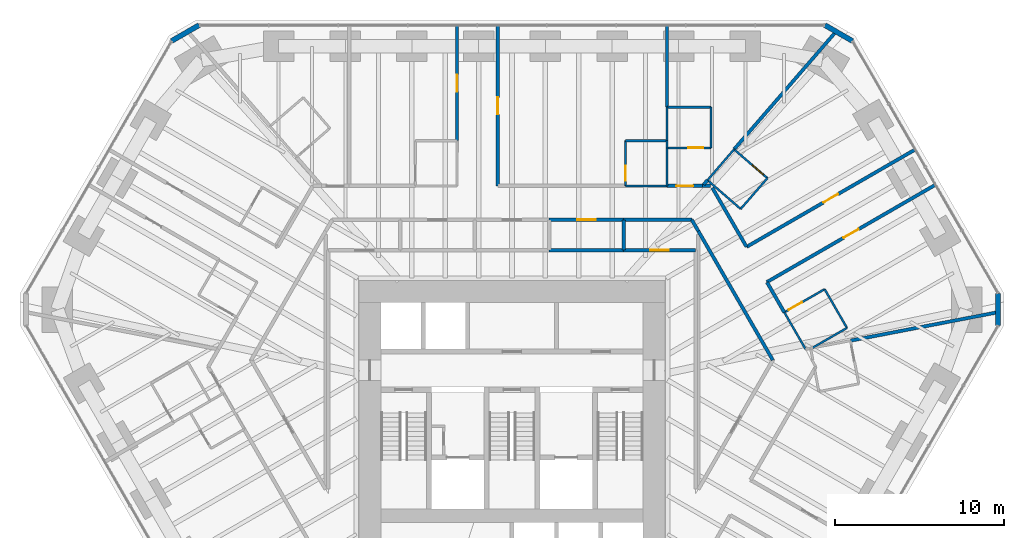
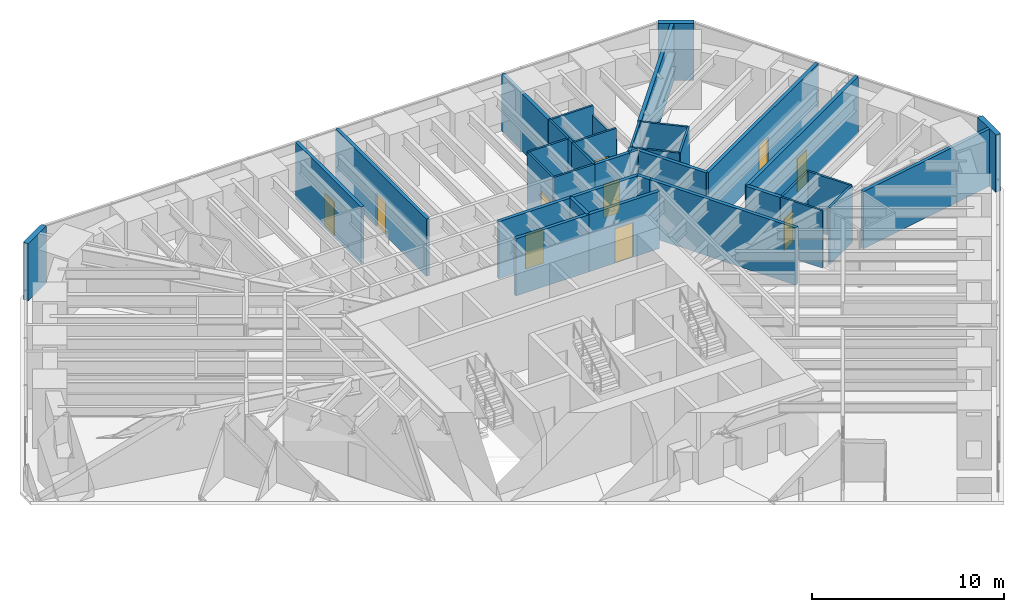
# One storey, part 15 of 17: 39 walls, 11 doors, 11 openings.
"""IFC4 building model written with IfcOpenShell, lengths in metres."""

import ifcopenshell
import ifcopenshell.guid

model = None  # the IFC model being written
_history = None  # IfcOwnerHistory: only IFC2X3 demands one
_inside = {}  # id of a spatial element -> (the spatial element, [elements in it])
_under = {}  # id of a project, library or spatial element -> (it, [spatial elements below it])
_declared = {}  # id of a project -> (the project, [libraries it declares])
_typed = {}  # id of a type object -> (the type object, [elements of that type])
_made_of = {}  # id of a material, layer set ... -> (it, [elements and type objects made of it])


def new_model(schema):
    """Start an empty IFC model of exactly this schema.

    Asked for "IFC4X3", IfcOpenShell would pick the latest addendum, in which some entities
    have other attributes; the version numbers below select the first issue.
    IFC2X3 requires an IfcOwnerHistory on every rooted entity: one is made here for all.
    """
    global model, _history
    if schema == "IFC4X3":
        model = ifcopenshell.file(schema_version=(4, 3, 0, 0))
    else:
        model = ifcopenshell.file(schema=schema)
    _inside.clear()
    _under.clear()
    _declared.clear()
    _typed.clear()
    _made_of.clear()
    _history = None
    if model.schema == "IFC2X3":
        org = make("IfcOrganization", Name="unknown")
        user = make(
            "IfcPersonAndOrganization",
            ThePerson=make("IfcPerson", FamilyName="unknown"),
            TheOrganization=org,
        )
        app = make(
            "IfcApplication",
            ApplicationDeveloper=org,
            Version="unknown",
            ApplicationFullName="unknown",
            ApplicationIdentifier="unknown",
        )
        _history = make(
            "IfcOwnerHistory",
            OwningUser=user,
            OwningApplication=app,
            ChangeAction="ADDED",
            CreationDate=0,
        )
    return model


def make(cls, **values):
    """One entity of the class cls with the attributes given. An attribute that is None is left unset."""
    return model.create_entity(
        cls, **{name: value for name, value in values.items() if value is not None}
    )


def rooted(cls, **values):
    """An entity with a GlobalId (a new one), such as an element, a storey or a relation."""
    return make(cls, GlobalId=ifcopenshell.guid.new(), OwnerHistory=_history, **values)


def si_unit(unit_type, name, prefix=None):
    """IfcSIUnit, for example si_unit("LENGTHUNIT", "METRE", prefix="MILLI")."""
    return make("IfcSIUnit", UnitType=unit_type, Prefix=prefix, Name=name)


def assignment(units):
    """IfcUnitAssignment: the units of a project."""
    return None if units is None else make("IfcUnitAssignment", Units=units)


def point(xyz):
    """IfcCartesianPoint."""
    return None if xyz is None else make("IfcCartesianPoint", Coordinates=xyz)


def direction(xyz):
    """IfcDirection."""
    return None if xyz is None else make("IfcDirection", DirectionRatios=xyz)


def frame(location, z_axis=None, x_axis=None):
    """IfcAxis2Placement3D, a coordinate frame: its origin and axes. An axis left out is left unset."""
    return make(
        "IfcAxis2Placement3D",
        Location=point(location),
        Axis=direction(z_axis),
        RefDirection=direction(x_axis),
    )


def frame_2d(location, x_axis=None):
    """IfcAxis2Placement2D, a coordinate frame in the plane: its origin and x axis."""
    return make(
        "IfcAxis2Placement2D", Location=point(location), RefDirection=direction(x_axis)
    )


def origin():
    """The frame at (0, 0, 0) with its axes left unset."""
    return frame((0.0, 0.0, 0.0))


def place(relative_to, where):
    """IfcLocalPlacement: puts the frame where relative to a parent placement (None: the world)."""
    return make(
        "IfcLocalPlacement", PlacementRelTo=relative_to, RelativePlacement=where
    )


def context(
    kind, dimensions, precision=None, world=None, true_north=None, identifier=None
):
    """IfcGeometricRepresentationContext, for example the 3D "Model" context."""
    return make(
        "IfcGeometricRepresentationContext",
        ContextIdentifier=identifier,
        ContextType=kind,
        CoordinateSpaceDimension=dimensions,
        Precision=precision,
        WorldCoordinateSystem=world,
        TrueNorth=true_north,
    )


def subcontext(parent, identifier, kind, view, scale=None):
    """IfcGeometricRepresentationSubContext, for example "Body" below "Model"."""
    return make(
        "IfcGeometricRepresentationSubContext",
        ContextIdentifier=identifier,
        ContextType=kind,
        ParentContext=parent,
        TargetScale=scale,
        TargetView=view,
    )


def project(units=None, contexts=None):
    """IfcProject with its units and contexts."""
    return rooted(
        "IfcProject",
        Name="project",
        RepresentationContexts=contexts,
        UnitsInContext=assignment(units),
    )


def spatial(cls, under=None, at=None, **own):
    """A site, building, storey or space (cls), placed at a placement, below another one or the project."""
    s = rooted(cls, ObjectPlacement=at, **own)
    if under is not None:
        _under.setdefault(under.id(), (under, []))[1].append(s)
    return s


def profile(cls, at=None, kind="AREA", **sizes):
    """A parametric profile (cls). Its sizes go by their IFC names, for example OverallWidth=200.0."""
    return make(cls, ProfileType=kind, Position=at, **sizes)


def rectangle(**sizes):
    """IfcRectangleProfileDef."""
    return profile("IfcRectangleProfileDef", **sizes)


def extrude(swept, where, along, depth):
    """IfcExtrudedAreaSolid: the profile swept, set in the frame where, extruded along a direction by depth."""
    return make(
        "IfcExtrudedAreaSolid",
        SweptArea=swept,
        Position=where,
        ExtrudedDirection=direction(along),
        Depth=depth,
    )


def shape(context_of_items, identifier, shape_type, items):
    """IfcShapeRepresentation: the items that make up one representation, for example the "Body"."""
    return make(
        "IfcShapeRepresentation",
        ContextOfItems=context_of_items,
        RepresentationIdentifier=identifier,
        RepresentationType=shape_type,
        Items=items,
    )


def material(Name=None, Category=None):
    """IfcMaterial."""
    return make("IfcMaterial", Name=Name, Category=Category)


def layer(
    of_material, thickness, ventilated=None, Name=None, Category=None, Priority=None
):
    """IfcMaterialLayer: one layer of a wall or slab, of a material (None: an air gap)."""
    return make(
        "IfcMaterialLayer",
        Material=of_material,
        LayerThickness=thickness,
        IsVentilated=ventilated,
        Name=Name,
        Category=Category,
        Priority=Priority,
    )


def layer_set(layers, Name=None):
    """IfcMaterialLayerSet."""
    return make("IfcMaterialLayerSet", MaterialLayers=layers, LayerSetName=Name)


def made_of(thing, what):
    """Note that an element or type object is made of a material, layer set ...; save() writes the relation."""
    if what is not None:
        _made_of.setdefault(what.id(), (what, []))[1].append(thing)
    return thing


def type_object(cls, material=None, **own):
    """A type object (cls), such as IfcWallType, which elements share."""
    return made_of(rooted(cls, **own), material)


def element(
    cls,
    number,
    at=None,
    inside=None,
    cuts=None,
    type_object=None,
    material=None,
    context=None,
    identifier="Body",
    shape_type=None,
    held_by="IfcProductDefinitionShape",
    body=None,
    shapes=None,
    **own,
):
    """One element of the class cls, such as IfcWall. Its Tag is "e" and its number.

    at: its placement. inside: the storey or other place that contains it. cuts: it is an
    opening in that element (IfcRelVoidsElement). A single representation is given by context,
    identifier, shape_type and body (its items); several are given by shapes. held_by: the class
    of the entity that holds the representations. save() writes the other relations.
    """
    e = rooted(cls, Tag="e%d" % number, ObjectPlacement=at, **own)
    if body is not None:
        shapes = [shape(context, identifier, shape_type, body)]
    if shapes is not None:
        e.Representation = make(held_by, Representations=shapes)
    if inside is not None:
        _inside.setdefault(inside.id(), (inside, []))[1].append(e)
    if cuts is not None:
        rooted(
            "IfcRelVoidsElement", RelatingBuildingElement=cuts, RelatedOpeningElement=e
        )
    if type_object is not None:
        _typed.setdefault(type_object.id(), (type_object, []))[1].append(e)
    return made_of(e, material)


def fill(opening, filler):
    """IfcRelFillsElement: the door or window that sits in an opening."""
    return rooted(
        "IfcRelFillsElement",
        RelatingOpeningElement=opening,
        RelatedBuildingElement=filler,
    )


def aggregate(whole, parts):
    """IfcRelAggregates: a whole, such as a stair, and the parts it consists of."""
    return rooted("IfcRelAggregates", RelatingObject=whole, RelatedObjects=parts)


def save(model, path):
    """Write the relations noted so far, then the file.

    IfcRelAggregates (storeys below a building ...), IfcRelContainedInSpatialStructure (elements
    in a storey), IfcRelDefinesByType, IfcRelAssociatesMaterial and IfcRelDeclares: one each for
    every whole, place, type object, material and project.
    """
    for whole, parts in _under.values():
        aggregate(whole, parts)
    for where, things in _inside.values():
        rooted(
            "IfcRelContainedInSpatialStructure",
            RelatedElements=things,
            RelatingStructure=where,
        )
    for kind, things in _typed.values():
        rooted("IfcRelDefinesByType", RelatedObjects=things, RelatingType=kind)
    for what, things in _made_of.values():
        rooted("IfcRelAssociatesMaterial", RelatedObjects=things, RelatingMaterial=what)
    for by, libraries in _declared.values():
        rooted("IfcRelDeclares", RelatingContext=by, RelatedDefinitions=libraries)
    model.write(path)


model = new_model("IFC4")

# Units and contexts
model_context = context("Model", 3, precision=1e-05, world=origin(), true_north=direction((0.0, 1.0)))
body_context = subcontext(model_context, "Body", "Model", "MODEL_VIEW")
ifc_project = project(units=[si_unit("LENGTHUNIT", "METRE"), si_unit("AREAUNIT", "SQUARE_METRE"), si_unit("VOLUMEUNIT", "CUBIC_METRE"), si_unit("PLANEANGLEUNIT", "RADIAN"), si_unit("MASSUNIT", "GRAM", prefix="KILO")], contexts=[model_context])

# Site, building, storey
site_placement = place(None, origin())
site = spatial("IfcSite", under=ifc_project, at=site_placement, CompositionType="ELEMENT")
building_placement = place(site_placement, origin())
building = spatial("IfcBuilding", under=site, at=building_placement, Name="Sandreach Pilgrim Tower", CompositionType="ELEMENT")
storey_placement = place(building_placement, frame((0.0, 0.0, 104.39990234375)))
storey = spatial("IfcBuildingStorey", under=building, at=storey_placement, Name="L25", CompositionType="ELEMENT", Elevation=104.39990234375)

# Wall, opening, door
ifc_material_1 = material(Name="Moisture-resistant gypsum board on steel studs", Category="steel")
ifc_layer_1 = layer(ifc_material_1, 0.1201171875)
ifc_layer_set_1 = layer_set([ifc_layer_1], Name="Bathroom partition 120")
wall_type_1 = type_object("IfcWallType", Name="Bathroom partition 120", PredefinedType="PARTITIONING", material=ifc_layer_set_1)
wall_1_placement = place(storey_placement, frame((6.7099609375, 15.659912109375, 0.0), z_axis=(0.0, 0.0, 1.0), x_axis=(0.0, -1.0, 0.0)))
wall_1 = element("IfcWall", 1, at=wall_1_placement, inside=storey, type_object=wall_type_1, Name="Bathroom partition L25-103", PredefinedType="PARTITIONING", context=body_context, shape_type="SweptSolid", body=[
    extrude(rectangle(XDim=2.669921875, YDim=0.1201171875, at=frame_2d((1.3349609375, 0.0))), origin(), (0.0, 0.0, 1.0), 3.64013671875),
])
opening_1_placement = place(wall_1_placement, frame((1.469970703125, 0.0, 0.0)))
opening_1 = element("IfcOpeningElement", 2, at=opening_1_placement, cuts=wall_1, Name="Opening D09-03B", PredefinedType="OPENING", context=body_context, shape_type="SweptSolid", body=[
    extrude(rectangle(XDim=0.89990234375, YDim=2.030029296875, at=frame_2d((0.449951171875, 1.01513671875))), frame((0.0, 0.06005859375, 0.0), z_axis=(0.0, -1.0, 0.0), x_axis=(1.0, 0.0, 0.0)), (0.0, 0.0, 1.0), 0.1201171875),
])
ifc_material_2 = material(Name="Timber door, steel frame", Category="steel")
door_type_1 = type_object("IfcDoorType", Name="Bathroom door", OperationType="SINGLE_SWING_LEFT", PredefinedType="DOOR", material=ifc_material_2)
door_1_placement = place(opening_1_placement, origin())
door_1 = element("IfcDoor", 3, at=door_1_placement, inside=storey, type_object=door_type_1, Name="Door 2503B", OperationType="SINGLE_SWING_RIGHT", OverallHeight=2.030029296875, OverallWidth=0.89990234375, PredefinedType="DOOR", context=body_context, shape_type="SweptSolid", body=[
    extrude(rectangle(XDim=0.89990234375, YDim=2.030029296875, at=frame_2d((0.449951171875, 1.01513671875))), frame((0.0, 0.02490234375, 0.0), z_axis=(0.0, -1.0, 0.0), x_axis=(1.0, 0.0, 0.0)), (0.0, 0.0, 1.0), 0.050048828125),
])
fill(opening_1, door_1)

# Walls
wall_2_placement = place(storey_placement, frame((9.159912109375, 12.989990234375, 0.0), z_axis=(0.0, 0.0, 1.0), x_axis=(-1.0, 0.0, 0.0)))
element("IfcWall", 4, at=wall_2_placement, inside=storey, type_object=wall_type_1, Name="Bathroom partition L25-115", PredefinedType="PARTITIONING", context=body_context, shape_type="SweptSolid", body=[
    extrude(rectangle(XDim=2.449951171875, YDim=0.1201171875, at=frame_2d((1.22509765625, 0.0))), origin(), (0.0, 0.0, 1.0), 3.64013671875),
])
wall_3_placement = place(storey_placement, frame((9.159912109375, 15.239990234375, 0.0), z_axis=(0.0, 0.0, 1.0), x_axis=(0.0, -1.0, 0.0)))
element("IfcWall", 5, at=wall_3_placement, inside=storey, type_object=wall_type_1, Name="Bathroom partition L25-116", PredefinedType="PARTITIONING", context=body_context, shape_type="SweptSolid", body=[
    extrude(rectangle(XDim=2.25, YDim=0.1201171875, at=frame_2d((1.125, 0.0))), origin(), (0.0, 0.0, 1.0), 3.64013671875),
])

# Wall, opening, door
wall_4_placement = place(storey_placement, frame((9.159912109375, 15.239990234375, 0.0), z_axis=(0.0, 0.0, 1.0), x_axis=(1.0, 0.0, 0.0)))
wall_4 = element("IfcWall", 6, at=wall_4_placement, inside=storey, type_object=wall_type_1, Name="Bathroom partition L25-117", PredefinedType="PARTITIONING", context=body_context, shape_type="SweptSolid", body=[
    extrude(rectangle(XDim=2.60009765625, YDim=0.1201171875, at=frame_2d((1.300048828125, 0.0))), origin(), (0.0, 0.0, 1.0), 3.64013671875),
])
opening_2_placement = place(wall_4_placement, frame((1.25, 0.0, 0.0)))
opening_2 = element("IfcOpeningElement", 7, at=opening_2_placement, cuts=wall_4, Name="Opening D09-04B", PredefinedType="OPENING", context=body_context, shape_type="SweptSolid", body=[
    extrude(rectangle(XDim=0.89990234375, YDim=2.030029296875, at=frame_2d((0.449951171875, 1.01513671875))), frame((0.0, 0.06005859375, 0.0), z_axis=(0.0, -1.0, 0.0), x_axis=(1.0, 0.0, 0.0)), (0.0, 0.0, 1.0), 0.1201171875),
])
door_2_placement = place(opening_2_placement, origin())
door_2 = element("IfcDoor", 8, at=door_2_placement, inside=storey, type_object=door_type_1, Name="Door 2504B", OperationType="SINGLE_SWING_RIGHT", OverallHeight=2.030029296875, OverallWidth=0.89990234375, PredefinedType="DOOR", context=body_context, shape_type="SweptSolid", body=[
    extrude(rectangle(XDim=0.89990234375, YDim=2.030029296875, at=frame_2d((0.449951171875, 1.01513671875))), frame((0.0, 0.02490234375, 0.0), z_axis=(0.0, -1.0, 0.0), x_axis=(1.0, 0.0, 0.0)), (0.0, 0.0, 1.0), 0.050048828125),
])
fill(opening_2, door_2)

# Walls
wall_5_placement = place(storey_placement, frame((9.159912109375, 15.659912109375, 0.0), z_axis=(0.0, 0.0, 1.0), x_axis=(-1.0, 0.0, 0.0)))
element("IfcWall", 9, at=wall_5_placement, inside=storey, type_object=wall_type_1, Name="Bathroom partition L25-118", PredefinedType="PARTITIONING", context=body_context, shape_type="SweptSolid", body=[
    extrude(rectangle(XDim=2.449951171875, YDim=0.1201171875, at=frame_2d((1.22509765625, 0.0))), origin(), (0.0, 0.0, 1.0), 3.64013671875),
])
wall_6_placement = place(storey_placement, frame((9.159912109375, 15.659912109375, 0.0), z_axis=(0.0, 0.0, 1.0), x_axis=(0.0, -1.0, 0.0)))
element("IfcWall", 10, at=wall_6_placement, inside=storey, type_object=wall_type_1, Name="Bathroom partition L25-119", PredefinedType="PARTITIONING", context=body_context, shape_type="SweptSolid", body=[
    extrude(rectangle(XDim=0.419921875, YDim=0.1201171875, at=frame_2d((0.2099609375, 0.0))), origin(), (0.0, 0.0, 1.0), 3.64013671875),
])
wall_7_placement = place(storey_placement, frame((9.159912109375, 17.639892578125, 0.0), z_axis=(0.0, 0.0, 1.0), x_axis=(0.0, -1.0, 0.0)))
element("IfcWall", 11, at=wall_7_placement, inside=storey, type_object=wall_type_1, Name="Bathroom partition L25-120", PredefinedType="PARTITIONING", context=body_context, shape_type="SweptSolid", body=[
    extrude(rectangle(XDim=1.97998046875, YDim=0.1201171875, at=frame_2d((0.989990234375, 0.0))), origin(), (0.0, 0.0, 1.0), 3.64013671875),
])
wall_8_placement = place(storey_placement, frame((11.550048828125, 13.330078125, 0.0), z_axis=(0.0, 0.0, 1.0), x_axis=(0.653238965593, 0.75715180369, 0.0)))
element("IfcWall", 12, at=wall_8_placement, inside=storey, type_object=wall_type_1, Name="Bathroom partition L25-134", PredefinedType="PARTITIONING", context=body_context, shape_type="SweptSolid", body=[
    extrude(rectangle(XDim=2.403564453125, YDim=0.1201171875, at=frame_2d((1.20166015625, 0.0))), origin(), (0.0, 0.0, 1.0), 3.64013671875),
])
wall_9_placement = place(storey_placement, frame((11.550048828125, 13.330078125, 0.0), z_axis=(0.0, 0.0, 1.0), x_axis=(0.755437535555, -0.655220672655, 0.0)))
element("IfcWall", 13, at=wall_9_placement, inside=storey, type_object=wall_type_1, Name="Bathroom partition L25-135", PredefinedType="PARTITIONING", context=body_context, shape_type="SweptSolid", body=[
    extrude(rectangle(XDim=2.594482421875, YDim=0.1201171875, at=frame_2d((1.29736328125, 0.0))), origin(), (0.0, 0.0, 1.0), 3.64013671875),
])
wall_10_placement = place(storey_placement, frame((11.760009765625, 15.239990234375, 0.0), z_axis=(0.0, 0.0, 1.0), x_axis=(0.0, 1.0, 0.0)))
element("IfcWall", 14, at=wall_10_placement, inside=storey, type_object=wall_type_1, Name="Bathroom partition L25-137", PredefinedType="PARTITIONING", context=body_context, shape_type="SweptSolid", body=[
    extrude(rectangle(XDim=2.39990234375, YDim=0.1201171875, at=frame_2d((1.199951171875, 0.0))), origin(), (0.0, 0.0, 1.0), 3.0380859375),
])
wall_11_placement = place(storey_placement, frame((11.760009765625, 17.639892578125, 0.0), z_axis=(0.0, 0.0, 1.0), x_axis=(-1.0, 0.0, 0.0)))
element("IfcWall", 15, at=wall_11_placement, inside=storey, type_object=wall_type_1, Name="Bathroom partition L25-138", PredefinedType="PARTITIONING", context=body_context, shape_type="SweptSolid", body=[
    extrude(rectangle(XDim=2.60009765625, YDim=0.1201171875, at=frame_2d((1.300048828125, 0.0))), origin(), (0.0, 0.0, 1.0), 3.64013671875),
])
wall_12_placement = place(storey_placement, frame((13.510009765625, 11.6298828125, 0.0), z_axis=(0.0, 0.0, 1.0), x_axis=(0.655566599468, 0.75513736079, 0.0)))
element("IfcWall", 16, at=wall_12_placement, inside=storey, type_object=wall_type_1, Name="Bathroom partition L25-141", PredefinedType="PARTITIONING", context=body_context, shape_type="SweptSolid", body=[
    extrude(rectangle(XDim=2.41015625, YDim=0.1201171875, at=frame_2d((1.205078125, 0.0))), origin(), (0.0, 0.0, 1.0), 3.64013671875),
])

# Wall, opening, door
wall_13_placement = place(storey_placement, frame((15.090087890625, 13.449951171875, 0.0), z_axis=(0.0, 0.0, 1.0), x_axis=(-0.757086659925, 0.653314464377, 0.0)))
wall_13 = element("IfcWall", 17, at=wall_13_placement, inside=storey, type_object=wall_type_1, Name="Bathroom partition L25-146", PredefinedType="PARTITIONING", context=body_context, shape_type="SweptSolid", body=[
    extrude(rectangle(XDim=2.60205078125, YDim=0.1201171875, at=frame_2d((1.301025390625, 0.0))), origin(), (0.0, 0.0, 1.0), 3.64013671875),
])
opening_3_placement = place(wall_13_placement, frame((0.300048828125, 0.0, 0.0)))
opening_3 = element("IfcOpeningElement", 18, at=opening_3_placement, cuts=wall_13, Name="Opening D09-05B", PredefinedType="OPENING", context=body_context, shape_type="SweptSolid", body=[
    extrude(rectangle(XDim=0.89990234375, YDim=2.030029296875, at=frame_2d((0.449951171875, 1.01513671875))), frame((0.0, 0.06005859375, 0.0), z_axis=(0.0, -1.0, 0.0), x_axis=(1.0, 0.0, 0.0)), (0.0, 0.0, 1.0), 0.1201171875),
])
door_3_placement = place(opening_3_placement, origin())
door_3 = element("IfcDoor", 19, at=door_3_placement, inside=storey, type_object=door_type_1, Name="Door 2505B", OperationType="SINGLE_SWING_LEFT", OverallHeight=2.030029296875, OverallWidth=0.89990234375, PredefinedType="DOOR", context=body_context, shape_type="SweptSolid", body=[
    extrude(rectangle(XDim=0.89990234375, YDim=2.030029296875, at=frame_2d((0.449951171875, 1.01513671875))), frame((0.0, 0.02490234375, 0.0), z_axis=(0.0, -1.0, 0.0), x_axis=(1.0, 0.0, 0.0)), (0.0, 0.0, 1.0), 0.050048828125),
])
fill(opening_3, door_3)

# Walls
wall_14_placement = place(storey_placement, frame((16.090087890625, 5.52001953125, 0.0), z_axis=(0.0, 0.0, 1.0), x_axis=(0.500424596343, -0.865780124151, 0.0)))
element("IfcWall", 20, at=wall_14_placement, inside=storey, type_object=wall_type_1, Name="Bathroom partition L25-148", PredefinedType="PARTITIONING", context=body_context, shape_type="SweptSolid", body=[
    extrude(rectangle(XDim=2.517822265625, YDim=0.1201171875, at=frame_2d((1.2587890625, 0.0))), origin(), (0.0, 0.0, 1.0), 3.64013671875),
])
wall_15_placement = place(storey_placement, frame((17.760009765625, 3.429931640625, 0.0), z_axis=(0.0, 0.0, 1.0), x_axis=(0.866371132283, 0.499400701988, 0.0)))
element("IfcWall", 21, at=wall_15_placement, inside=storey, type_object=wall_type_1, Name="Bathroom partition L25-152", PredefinedType="PARTITIONING", context=body_context, shape_type="SweptSolid", body=[
    extrude(rectangle(XDim=2.34326171875, YDim=0.1201171875, at=frame_2d((1.171630859375, 0.0))), origin(), (0.0, 0.0, 1.0), 3.64013671875),
])

# Wall, opening, door
wall_16_placement = place(storey_placement, frame((18.469970703125, 6.889892578125, 0.0), z_axis=(0.0, 0.0, 1.0), x_axis=(-0.866679536557, -0.498865293355, 0.0)))
wall_16 = element("IfcWall", 22, at=wall_16_placement, inside=storey, type_object=wall_type_1, Name="Bathroom partition L25-158", PredefinedType="PARTITIONING", context=body_context, shape_type="SweptSolid", body=[
    extrude(rectangle(XDim=2.74609375, YDim=0.1201171875, at=frame_2d((1.373046875, 0.0))), origin(), (0.0, 0.0, 1.0), 3.64013671875),
])
opening_4_placement = place(wall_16_placement, frame((1.546142578125, 0.0, 0.0)))
opening_4 = element("IfcOpeningElement", 23, at=opening_4_placement, cuts=wall_16, Name="Opening D09-06B", PredefinedType="OPENING", context=body_context, shape_type="SweptSolid", body=[
    extrude(rectangle(XDim=0.89990234375, YDim=2.030029296875, at=frame_2d((0.449951171875, 1.01513671875))), frame((0.0, 0.06005859375, 0.0), z_axis=(0.0, -1.0, 0.0), x_axis=(1.0, 0.0, 0.0)), (0.0, 0.0, 1.0), 0.1201171875),
])
door_4_placement = place(opening_4_placement, origin())
door_4 = element("IfcDoor", 24, at=door_4_placement, inside=storey, type_object=door_type_1, Name="Door 2506B", OperationType="SINGLE_SWING_RIGHT", OverallHeight=2.030029296875, OverallWidth=0.89990234375, PredefinedType="DOOR", context=body_context, shape_type="SweptSolid", body=[
    extrude(rectangle(XDim=0.89990234375, YDim=2.030029296875, at=frame_2d((0.449951171875, 1.01513671875))), frame((0.0, 0.02490234375, 0.0), z_axis=(0.0, -1.0, 0.0), x_axis=(1.0, 0.0, 0.0)), (0.0, 0.0, 1.0), 0.050048828125),
])
fill(opening_4, door_4)

# Wall
wall_17_placement = place(storey_placement, frame((19.7900390625, 4.60009765625, 0.0), z_axis=(0.0, 0.0, 1.0), x_axis=(-0.499447879564, 0.866343936089, 0.0)))
element("IfcWall", 25, at=wall_17_placement, inside=storey, type_object=wall_type_1, Name="Bathroom partition L25-159", PredefinedType="PARTITIONING", context=body_context, shape_type="SweptSolid", body=[
    extrude(rectangle(XDim=2.64306640625, YDim=0.1201171875, at=frame_2d((1.321533203125, 0.0))), origin(), (0.0, 0.0, 1.0), 3.64013671875),
])

# Wall, opening, door
ifc_material_3 = material(Name="Gypsum board on steel studs, two layers each side", Category="steel")
ifc_layer_2 = layer(ifc_material_3, 0.199951171875)
ifc_layer_set_2 = layer_set([ifc_layer_2], Name="Corridor wall 200")
wall_type_2 = type_object("IfcWallType", Name="Corridor wall 200", PredefinedType="PARTITIONING", material=ifc_layer_set_2)
wall_18_placement = place(storey_placement, frame((-3.25, 22.4599609375, 0.0), z_axis=(0.0, 0.0, 1.0), x_axis=(0.0, -1.0, 0.0)))
wall_18 = element("IfcWall", 26, at=wall_18_placement, inside=storey, type_object=wall_type_2, Name="Corridor wall L25-073", PredefinedType="PARTITIONING", context=body_context, shape_type="SweptSolid", body=[
    extrude(rectangle(XDim=6.800048828125, YDim=0.199951171875, at=frame_2d((3.39990234375, 0.0))), origin(), (0.0, 0.0, 1.0), 3.64013671875),
])
opening_5_placement = place(wall_18_placement, frame((2.89990234375, 0.0, 0.0)))
opening_5 = element("IfcOpeningElement", 27, at=opening_5_placement, cuts=wall_18, Name="Opening D10-02", PredefinedType="OPENING", context=body_context, shape_type="SweptSolid", body=[
    extrude(rectangle(XDim=1.0, YDim=2.1298828125, at=frame_2d((0.5, 1.06494140625))), frame((0.0, 0.10009765625, 0.0), z_axis=(0.0, -1.0, 0.0), x_axis=(1.0, 0.0, 0.0)), (0.0, 0.0, 1.0), 0.199951171875),
])
ifc_material_4 = material(Name="Steel door and frame", Category="steel")
door_type_2 = type_object("IfcDoorType", Name="Guest room entry door", OperationType="SINGLE_SWING_LEFT", PredefinedType="DOOR", material=ifc_material_4)
door_5_placement = place(opening_5_placement, origin())
door_5 = element("IfcDoor", 28, at=door_5_placement, inside=storey, type_object=door_type_2, Name="Door 2502", OperationType="SINGLE_SWING_LEFT", OverallHeight=2.1298828125, OverallWidth=1.0, PredefinedType="DOOR", context=body_context, shape_type="SweptSolid", body=[
    extrude(rectangle(XDim=1.0, YDim=2.1298828125, at=frame_2d((0.5, 1.06494140625))), frame((0.0, 0.02490234375, 0.0), z_axis=(0.0, -1.0, 0.0), x_axis=(1.0, 0.0, 0.0)), (0.0, 0.0, 1.0), 0.050048828125),
])
fill(opening_5, door_5)

wall_19_placement = place(storey_placement, frame((-0.85009765625, 12.989990234375, 0.0), z_axis=(0.0, 0.0, 1.0), x_axis=(0.0, 1.0, 0.0)))
wall_19 = element("IfcWall", 29, at=wall_19_placement, inside=storey, type_object=wall_type_2, Name="Corridor wall L25-084", PredefinedType="PARTITIONING", context=body_context, shape_type="SweptSolid", body=[
    extrude(rectangle(XDim=9.469970703125, YDim=0.199951171875, at=frame_2d((4.73486328125, 0.0))), origin(), (0.0, 0.0, 1.0), 3.64013671875),
])
opening_6_placement = place(wall_19_placement, frame((4.235107421875, 0.0, 0.0)))
opening_6 = element("IfcOpeningElement", 30, at=opening_6_placement, cuts=wall_19, Name="Opening D10-03", PredefinedType="OPENING", context=body_context, shape_type="SweptSolid", body=[
    extrude(rectangle(XDim=1.0, YDim=2.1298828125, at=frame_2d((0.5, 1.06494140625))), frame((0.0, 0.10009765625, 0.0), z_axis=(0.0, -1.0, 0.0), x_axis=(1.0, 0.0, 0.0)), (0.0, 0.0, 1.0), 0.199951171875),
])
door_6_placement = place(opening_6_placement, origin())
door_6 = element("IfcDoor", 31, at=door_6_placement, inside=storey, type_object=door_type_2, Name="Door 2503", OperationType="SINGLE_SWING_LEFT", OverallHeight=2.1298828125, OverallWidth=1.0, PredefinedType="DOOR", context=body_context, shape_type="SweptSolid", body=[
    extrude(rectangle(XDim=1.0, YDim=2.1298828125, at=frame_2d((0.5, 1.06494140625))), frame((0.0, 0.02490234375, 0.0), z_axis=(0.0, -1.0, 0.0), x_axis=(1.0, 0.0, 0.0)), (0.0, 0.0, 1.0), 0.050048828125),
])
fill(opening_6, door_6)

wall_20_placement = place(storey_placement, frame((2.199951171875, 10.989990234375, 0.0), z_axis=(0.0, 0.0, 1.0), x_axis=(1.0, 0.0, 0.0)))
wall_20 = element("IfcWall", 32, at=wall_20_placement, inside=storey, type_object=wall_type_2, Name="Corridor wall L25-091", PredefinedType="PARTITIONING", context=body_context, shape_type="SweptSolid", body=[
    extrude(rectangle(XDim=4.400146484375, YDim=0.199951171875, at=frame_2d((2.2001953125, 0.0))), origin(), (0.0, 0.0, 1.0), 3.64013671875),
])
opening_7_placement = place(wall_20_placement, frame((1.64990234375, 0.0, 0.0)))
opening_7 = element("IfcOpeningElement", 33, at=opening_7_placement, cuts=wall_20, Name="Opening D11H-M05", PredefinedType="OPENING", context=body_context, shape_type="SweptSolid", body=[
    extrude(rectangle(XDim=1.10009765625, YDim=2.199951171875, at=frame_2d((0.550048828125, 1.10009765625))), frame((0.0, 0.10009765625, 0.0), z_axis=(0.0, -1.0, 0.0), x_axis=(1.0, 0.0, 0.0)), (0.0, 0.0, 1.0), 0.199951171875),
])
ifc_material_5 = material(Name="Steel door and frame", Category="steel")
door_type_3 = type_object("IfcDoorType", Name="Back of house door", OperationType="SINGLE_SWING_LEFT", PredefinedType="DOOR", material=ifc_material_5)
door_7_placement = place(opening_7_placement, origin())
door_7 = element("IfcDoor", 34, at=door_7_placement, inside=storey, type_object=door_type_3, Name="Door 25M05", OperationType="SINGLE_SWING_LEFT", OverallHeight=2.199951171875, OverallWidth=1.10009765625, PredefinedType="DOOR", context=body_context, shape_type="SweptSolid", body=[
    extrude(rectangle(XDim=1.10009765625, YDim=2.199951171875, at=frame_2d((0.550048828125, 1.10009765625))), frame((0.0, 0.02490234375, 0.0), z_axis=(0.0, -1.0, 0.0), x_axis=(1.0, 0.0, 0.0)), (0.0, 0.0, 1.0), 0.050048828125),
])
fill(opening_7, door_7)

# Walls
wall_21_placement = place(storey_placement, frame((6.60009765625, 9.199951171875, 0.0), z_axis=(0.0, 0.0, 1.0), x_axis=(-1.0, 0.0, 0.0)))
element("IfcWall", 35, at=wall_21_placement, inside=storey, type_object=wall_type_2, Name="Corridor wall L25-099", PredefinedType="PARTITIONING", context=body_context, shape_type="SweptSolid", body=[
    extrude(rectangle(XDim=4.400146484375, YDim=0.199951171875, at=frame_2d((2.2001953125, 0.0))), origin(), (0.0, 0.0, 1.0), 3.64013671875),
])
wall_22_placement = place(storey_placement, frame((6.60009765625, 10.989990234375, 0.0), z_axis=(0.0, 0.0, 1.0), x_axis=(1.0, 0.0, 0.0)))
element("IfcWall", 36, at=wall_22_placement, inside=storey, type_object=wall_type_2, Name="Corridor wall L25-101", PredefinedType="PARTITIONING", context=body_context, shape_type="SweptSolid", body=[
    extrude(rectangle(XDim=4.02001953125, YDim=0.199951171875, at=frame_2d((2.010009765625, 0.0))), origin(), (0.0, 0.0, 1.0), 3.64013671875),
])
wall_23_placement = place(storey_placement, frame((10.6201171875, 10.989990234375, 0.0), z_axis=(0.0, 0.0, 1.0), x_axis=(0.503009091795, -0.864281119527, 0.0)))
element("IfcWall", 37, at=wall_23_placement, inside=storey, type_object=wall_type_2, Name="Corridor wall L25-126", PredefinedType="PARTITIONING", context=body_context, shape_type="SweptSolid", body=[
    extrude(rectangle(XDim=0.775146484375, YDim=0.199951171875, at=frame_2d((0.3876953125, 0.0))), origin(), (0.0, 0.0, 1.0), 3.64013671875),
])

# Wall, opening, door
wall_24_placement = place(storey_placement, frame((10.840087890625, 9.199951171875, 0.0), z_axis=(0.0, 0.0, 1.0), x_axis=(-1.0, 0.0, 0.0)))
wall_24 = element("IfcWall", 38, at=wall_24_placement, inside=storey, type_object=wall_type_2, Name="Corridor wall L25-127", PredefinedType="PARTITIONING", context=body_context, shape_type="SweptSolid", body=[
    extrude(rectangle(XDim=4.239990234375, YDim=0.199951171875, at=frame_2d((2.1201171875, 0.0))), origin(), (0.0, 0.0, 1.0), 3.64013671875),
])
opening_8_placement = place(wall_24_placement, frame((1.570068359375, 0.0, 0.0)))
opening_8 = element("IfcOpeningElement", 39, at=opening_8_placement, cuts=wall_24, Name="Opening D11H-M06", PredefinedType="OPENING", context=body_context, shape_type="SweptSolid", body=[
    extrude(rectangle(XDim=1.10009765625, YDim=2.199951171875, at=frame_2d((0.550048828125, 1.10009765625))), frame((0.0, 0.10009765625, 0.0), z_axis=(0.0, -1.0, 0.0), x_axis=(1.0, 0.0, 0.0)), (0.0, 0.0, 1.0), 0.199951171875),
])
door_8_placement = place(opening_8_placement, origin())
door_8 = element("IfcDoor", 40, at=door_8_placement, inside=storey, type_object=door_type_3, Name="Door 25M06", OperationType="SINGLE_SWING_LEFT", OverallHeight=2.199951171875, OverallWidth=1.10009765625, PredefinedType="DOOR", context=body_context, shape_type="SweptSolid", body=[
    extrude(rectangle(XDim=1.10009765625, YDim=2.199951171875, at=frame_2d((0.550048828125, 1.10009765625))), frame((0.0, 0.02490234375, 0.0), z_axis=(0.0, -1.0, 0.0), x_axis=(1.0, 0.0, 0.0)), (0.0, 0.0, 1.0), 0.050048828125),
])
fill(opening_8, door_8)

# Wall
wall_25_placement = place(storey_placement, frame((11.010009765625, 10.320068359375, 0.0), z_axis=(0.0, 0.0, 1.0), x_axis=(0.500036278648, -0.866004457284, 0.0)))
element("IfcWall", 41, at=wall_25_placement, inside=storey, type_object=wall_type_2, Name="Corridor wall L25-130", PredefinedType="PARTITIONING", context=body_context, shape_type="SweptSolid", body=[
    extrude(rectangle(XDim=8.799072265625, YDim=0.199951171875, at=frame_2d((4.3994140625, 0.0))), origin(), (0.0, 0.0, 1.0), 3.64013671875),
])

# Wall, opening, door
wall_26_placement = place(storey_placement, frame((11.25, 12.989990234375, 0.0), z_axis=(0.0, 0.0, 1.0), x_axis=(-1.0, 0.0, 0.0)))
wall_26 = element("IfcWall", 42, at=wall_26_placement, inside=storey, type_object=wall_type_2, Name="Corridor wall L25-131", PredefinedType="PARTITIONING", context=body_context, shape_type="SweptSolid", body=[
    extrude(rectangle(XDim=2.090087890625, YDim=0.199951171875, at=frame_2d((1.044921875, 0.0))), origin(), (0.0, 0.0, 1.0), 3.64013671875),
])
opening_9_placement = place(wall_26_placement, frame((0.544921875, 0.0, 0.0)))
opening_9 = element("IfcOpeningElement", 43, at=opening_9_placement, cuts=wall_26, Name="Opening D10-04", PredefinedType="OPENING", context=body_context, shape_type="SweptSolid", body=[
    extrude(rectangle(XDim=1.0, YDim=2.1298828125, at=frame_2d((0.5, 1.06494140625))), frame((0.0, 0.10009765625, 0.0), z_axis=(0.0, -1.0, 0.0), x_axis=(1.0, 0.0, 0.0)), (0.0, 0.0, 1.0), 0.199951171875),
])
door_9_placement = place(opening_9_placement, origin())
door_9 = element("IfcDoor", 44, at=door_9_placement, inside=storey, type_object=door_type_2, Name="Door 2504", OperationType="SINGLE_SWING_LEFT", OverallHeight=2.1298828125, OverallWidth=1.0, PredefinedType="DOOR", context=body_context, shape_type="SweptSolid", body=[
    extrude(rectangle(XDim=1.0, YDim=2.1298828125, at=frame_2d((0.5, 1.06494140625))), frame((0.0, 0.02490234375, 0.0), z_axis=(0.0, -1.0, 0.0), x_axis=(1.0, 0.0, 0.0)), (0.0, 0.0, 1.0), 0.050048828125),
])
fill(opening_9, door_9)

# Walls
wall_27_placement = place(storey_placement, frame((11.735107421875, 12.989990234375, 0.0), z_axis=(0.0, 0.0, 1.0), x_axis=(-1.0, 0.0, 0.0)))
element("IfcWall", 45, at=wall_27_placement, inside=storey, type_object=wall_type_2, Name="Corridor wall L25-136", PredefinedType="PARTITIONING", context=body_context, shape_type="SweptSolid", body=[
    extrude(rectangle(XDim=0.485107421875, YDim=0.199951171875, at=frame_2d((0.24267578125, 0.0))), origin(), (0.0, 0.0, 1.0), 3.64013671875),
])
wall_28_placement = place(storey_placement, frame((13.85498046875, 9.398681640625, 0.0), z_axis=(0.0, 0.0, 1.0), x_axis=(-0.502087259191, 0.864816965698, 0.0)))
element("IfcWall", 46, at=wall_28_placement, inside=storey, type_object=wall_type_2, Name="Corridor wall L25-142", PredefinedType="PARTITIONING", context=body_context, shape_type="SweptSolid", body=[
    extrude(rectangle(XDim=4.027587890625, YDim=0.199951171875, at=frame_2d((2.013671875, 0.0))), origin(), (0.0, 0.0, 1.0), 3.64013671875),
])

# Wall, opening, door
wall_29_placement = place(storey_placement, frame((15.06005859375, 7.31005859375, 0.0), z_axis=(0.0, 0.0, 1.0), x_axis=(0.866042039906, 0.499971184285, 0.0)))
wall_29 = element("IfcWall", 47, at=wall_29_placement, inside=storey, type_object=wall_type_2, Name="Corridor wall L25-144", PredefinedType="PARTITIONING", context=body_context, shape_type="SweptSolid", body=[
    extrude(rectangle(XDim=11.470458984375, YDim=0.199951171875, at=frame_2d((5.7353515625, 0.0))), origin(), (0.0, 0.0, 1.0), 3.64013671875),
])
opening_10_placement = place(wall_29_placement, frame((5.2353515625, 0.0, 0.0)))
opening_10 = element("IfcOpeningElement", 48, at=opening_10_placement, cuts=wall_29, Name="Opening D10-06", PredefinedType="OPENING", context=body_context, shape_type="SweptSolid", body=[
    extrude(rectangle(XDim=1.0, YDim=2.1298828125, at=frame_2d((0.5, 1.06494140625))), frame((0.0, 0.10009765625, 0.0), z_axis=(0.0, -1.0, 0.0), x_axis=(1.0, 0.0, 0.0)), (0.0, 0.0, 1.0), 0.199951171875),
])
door_10_placement = place(opening_10_placement, origin())
door_10 = element("IfcDoor", 49, at=door_10_placement, inside=storey, type_object=door_type_2, Name="Door 2506", OperationType="SINGLE_SWING_LEFT", OverallHeight=2.1298828125, OverallWidth=1.0, PredefinedType="DOOR", context=body_context, shape_type="SweptSolid", body=[
    extrude(rectangle(XDim=1.0, YDim=2.1298828125, at=frame_2d((0.5, 1.06494140625))), frame((0.0, 0.02490234375, 0.0), z_axis=(0.0, -1.0, 0.0), x_axis=(1.0, 0.0, 0.0)), (0.0, 0.0, 1.0), 0.050048828125),
])
fill(opening_10, door_10)

# Wall
wall_30_placement = place(storey_placement, frame((15.06494140625, 7.30126953125, 0.0), z_axis=(0.0, 0.0, 1.0), x_axis=(0.498810334238, -0.866711168993, 0.0)))
element("IfcWall", 50, at=wall_30_placement, inside=storey, type_object=wall_type_2, Name="Corridor wall L25-145", PredefinedType="PARTITIONING", context=body_context, shape_type="SweptSolid", body=[
    extrude(rectangle(XDim=2.05517578125, YDim=0.199951171875, at=frame_2d((1.027587890625, 0.0))), origin(), (0.0, 0.0, 1.0), 3.64013671875),
])

# Wall, opening, door
wall_31_placement = place(storey_placement, frame((23.7939453125, 15.125, 0.0), z_axis=(0.0, 0.0, 1.0), x_axis=(-0.866032823784, -0.499987147964, 0.0)))
wall_31 = element("IfcWall", 51, at=wall_31_placement, inside=storey, type_object=wall_type_2, Name="Corridor wall L25-163", PredefinedType="PARTITIONING", context=body_context, shape_type="SweptSolid", body=[
    extrude(rectangle(XDim=11.470458984375, YDim=0.199951171875, at=frame_2d((5.7353515625, 0.0))), origin(), (0.0, 0.0, 1.0), 3.64013671875),
])
opening_11_placement = place(wall_31_placement, frame((5.2353515625, 0.0, 0.0)))
opening_11 = element("IfcOpeningElement", 52, at=opening_11_placement, cuts=wall_31, Name="Opening D10-05", PredefinedType="OPENING", context=body_context, shape_type="SweptSolid", body=[
    extrude(rectangle(XDim=1.0, YDim=2.1298828125, at=frame_2d((0.5, 1.06494140625))), frame((0.0, 0.10009765625, 0.0), z_axis=(0.0, -1.0, 0.0), x_axis=(1.0, 0.0, 0.0)), (0.0, 0.0, 1.0), 0.199951171875),
])
door_11_placement = place(opening_11_placement, origin())
door_11 = element("IfcDoor", 53, at=door_11_placement, inside=storey, type_object=door_type_2, Name="Door 2505", OperationType="SINGLE_SWING_LEFT", OverallHeight=2.1298828125, OverallWidth=1.0, PredefinedType="DOOR", context=body_context, shape_type="SweptSolid", body=[
    extrude(rectangle(XDim=1.0, YDim=2.1298828125, at=frame_2d((0.5, 1.06494140625))), frame((0.0, 0.02490234375, 0.0), z_axis=(0.0, -1.0, 0.0), x_axis=(1.0, 0.0, 0.0)), (0.0, 0.0, 1.0), 0.050048828125),
])
fill(opening_11, door_11)

# Walls
ifc_material_6 = material(Name="Double steel stud acoustic wall, gypsum board", Category="steel")
ifc_layer_3 = layer(ifc_material_6, 0.199951171875)
ifc_layer_set_3 = layer_set([ifc_layer_3], Name="Party wall 200")
wall_type_3 = type_object("IfcWallType", Name="Party wall 200", PredefinedType="PARTITIONING", material=ifc_layer_set_3)
wall_32_placement = place(storey_placement, frame((6.60009765625, 10.97998046875, 0.0), z_axis=(0.0, 0.0, 1.0), x_axis=(0.0, -1.0, 0.0)))
element("IfcWall", 54, at=wall_32_placement, inside=storey, type_object=wall_type_3, Name="Party wall L25-100", PredefinedType="PARTITIONING", context=body_context, shape_type="SweptSolid", body=[
    extrude(rectangle(XDim=1.77001953125, YDim=0.199951171875, at=frame_2d((0.885009765625, 0.0))), origin(), (0.0, 0.0, 1.0), 3.64013671875),
])
wall_33_placement = place(storey_placement, frame((9.159912109375, 22.4599609375, 0.0), z_axis=(0.0, 0.0, 1.0), x_axis=(0.0, -1.0, 0.0)))
element("IfcWall", 55, at=wall_33_placement, inside=storey, type_object=wall_type_3, Name="Party wall L25-121", PredefinedType="PARTITIONING", context=body_context, shape_type="SweptSolid", body=[
    extrude(rectangle(XDim=4.820068359375, YDim=0.199951171875, at=frame_2d((2.41015625, 0.0))), origin(), (0.0, 0.0, 1.0), 3.64013671875),
])
wall_34_placement = place(storey_placement, frame((11.319580078125, 13.06884765625, 0.0), z_axis=(0.0, 0.0, 1.0), x_axis=(0.661575277995, 0.749878757897, 0.0)))
element("IfcWall", 56, at=wall_34_placement, inside=storey, type_object=wall_type_3, Name="Party wall L25-132", PredefinedType="PARTITIONING", context=body_context, shape_type="SweptSolid", body=[
    extrude(rectangle(XDim=0.348388671875, YDim=0.199951171875, at=frame_2d((0.17431640625, 0.0))), origin(), (0.0, 0.0, 1.0), 3.64013671875),
])
wall_35_placement = place(storey_placement, frame((13.1201171875, 15.14990234375, 0.0), z_axis=(0.0, 0.0, 1.0), x_axis=(0.654515490482, 0.756048591507, 0.0)))
element("IfcWall", 57, at=wall_35_placement, inside=storey, type_object=wall_type_3, Name="Party wall L25-140", PredefinedType="PARTITIONING", context=body_context, shape_type="SweptSolid", body=[
    extrude(rectangle(XDim=9.228515625, YDim=0.199951171875, at=frame_2d((4.6142578125, 0.0))), origin(), (0.0, 0.0, 1.0), 3.64013671875),
])
wall_36_placement = place(storey_placement, frame((20.0, 3.85009765625, 0.0), z_axis=(0.0, 0.0, 1.0), x_axis=(0.981934187141, 0.189222757942, 0.0)))
element("IfcWall", 58, at=wall_36_placement, inside=storey, type_object=wall_type_3, Name="Party wall L25-160", PredefinedType="PARTITIONING", context=body_context, shape_type="SweptSolid", body=[
    extrude(rectangle(XDim=8.9013671875, YDim=0.199951171875, at=frame_2d((4.45068359375, 0.0))), origin(), (0.0, 0.0, 1.0), 3.64013671875),
])
ifc_material_7 = material(Name="Terracotta rainscreen on concrete", Category="masonry")
ifc_layer_4 = layer(ifc_material_7, 0.300048828125)
ifc_layer_set_4 = layer_set([ifc_layer_4], Name="Terracotta chamfer pier")
wall_type_4 = type_object("IfcWallType", Name="Terracotta chamfer pier", PredefinedType="SOLIDWALL", material=ifc_layer_set_4)
wall_37_placement = place(storey_placement, frame((18.4814453125, 22.493896484375, 0.0), z_axis=(0.0, 0.0, 1.0), x_axis=(0.865988793993, -0.500063404658, 0.0)))
element("IfcWall", 59, at=wall_37_placement, inside=storey, type_object=wall_type_4, Name="Chamfer pier L25 N", PredefinedType="SOLIDWALL", context=body_context, shape_type="SweptSolid", body=[
    extrude(rectangle(XDim=1.880126953125, YDim=0.300048828125, at=frame_2d((0.93994140625, 0.0))), origin(), (0.0, 0.0, 1.0), 3.64013671875),
])
wall_38_placement = place(storey_placement, frame((28.720947265625, 6.638427734375, 0.0), z_axis=(0.0, 0.0, 1.0), x_axis=(0.0, -1.0, 0.0)))
element("IfcWall", 60, at=wall_38_placement, inside=storey, type_object=wall_type_4, Name="Chamfer pier L25 NE", PredefinedType="SOLIDWALL", context=body_context, shape_type="SweptSolid", body=[
    extrude(rectangle(XDim=1.8798828125, YDim=0.300048828125, at=frame_2d((0.93994140625, 0.0))), origin(), (0.0, 0.0, 1.0), 3.64013671875),
])
wall_39_placement = place(storey_placement, frame((-20.109619140625, 21.5537109375, 0.0), z_axis=(0.0, 0.0, 1.0), x_axis=(0.865988793993, 0.500063404658, 0.0)))
element("IfcWall", 61, at=wall_39_placement, inside=storey, type_object=wall_type_4, Name="Chamfer pier L25 NW", PredefinedType="SOLIDWALL", context=body_context, shape_type="SweptSolid", body=[
    extrude(rectangle(XDim=1.880126953125, YDim=0.300048828125, at=frame_2d((0.93994140625, 0.0))), origin(), (0.0, 0.0, 1.0), 3.64013671875),
])

save(model, "model.ifc")
